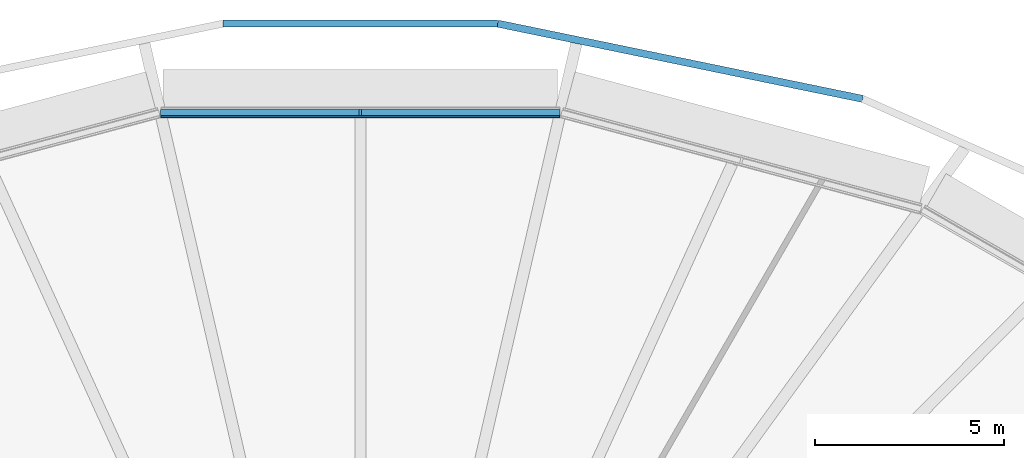
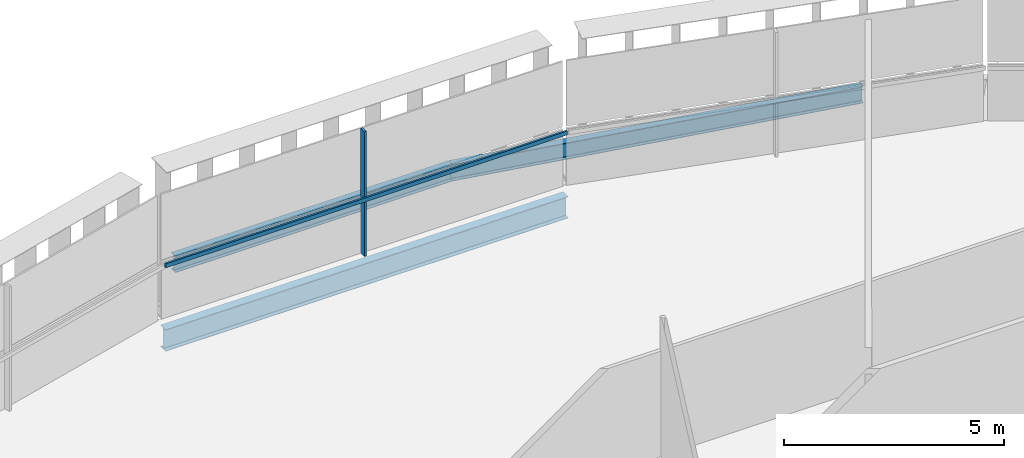
# One storey, part 8 of 20: 3 beams, 2 members, 1 element without a shape of its own.
"""IFC4 building model written with IfcOpenShell, lengths in metres."""

from ifc_helpers import new_model, si_unit, direction, frame, origin, origin_2d, place, context, subcontext, project, spatial, rectangle, i_section, extrude, material, layer, layer_set, material_profile, profile_set, type_object, element, aggregate, save


model = new_model("IFC4")

# Units and contexts
model_context = context("Model", 3, precision=1e-05, world=origin(), true_north=direction((0.0, 1.0)))
body_context = subcontext(model_context, "Body", "Model", "MODEL_VIEW")
ifc_project = project(units=[si_unit("LENGTHUNIT", "METRE"), si_unit("AREAUNIT", "SQUARE_METRE"), si_unit("VOLUMEUNIT", "CUBIC_METRE"), si_unit("PLANEANGLEUNIT", "RADIAN"), si_unit("MASSUNIT", "GRAM", prefix="KILO")], contexts=[model_context])

# Site, building, storey
site_placement = place(None, origin())
site = spatial("IfcSite", under=ifc_project, at=site_placement, CompositionType="ELEMENT")
building_placement = place(site_placement, origin())
building = spatial("IfcBuilding", under=site, at=building_placement, Name="Sahrelin Media Tower", CompositionType="ELEMENT")
storey_placement = place(building_placement, frame((0.0, 0.0, 209.60009765625)))
storey = spatial("IfcBuildingStorey", under=building, at=storey_placement, Name="L44", CompositionType="ELEMENT", Elevation=209.60009765625)

# Beam
ifc_material_1 = material(Name="Steel S355", Category="steel")
ifc_material_profile_1 = material_profile(ifc_material_1, i_section(OverallWidth=0.2275390625, OverallDepth=0.6025390625, WebThickness=0.010498046875, FlangeThickness=0.014892578125, FilletRadius=0.0126953125, at=origin_2d()), Name="UB 610x229x101")
ifc_profile_set_1 = profile_set([ifc_material_profile_1], Name="Steel S355")
beam_type_1 = type_object("IfcBeamType", Name="Edge beam EB7", PredefinedType="BEAM", material=ifc_profile_set_1)
beam_1_placement = place(storey_placement, frame((-5.275390625, 22.86572265625, -0.451416015625), z_axis=(1.0, 0.0, 0.0), x_axis=(0.0, 1.0, 0.0)))
element("IfcBeam", 1, at=beam_1_placement, inside=storey, type_object=beam_type_1, Name="Edge beam L44-19", PredefinedType="BEAM", context=body_context, shape_type="SweptSolid", body=[
    extrude(i_section(OverallWidth=0.2275390625, OverallDepth=0.6025390625, WebThickness=0.010498046875, FlangeThickness=0.014892578125, FilletRadius=0.0126953125, at=origin_2d()), origin(), (0.0, 0.0, 1.0), 10.55078125),
])

# Curtain wall, member
ifc_material_2 = material(Name="Champagne anodised aluminium 6063-T6", Category="aluminium")
ifc_layer = layer(ifc_material_2, 0.14990234375)
ifc_layer_set = layer_set([ifc_layer], Name="Tower ribbon curtain wall")
curtain_wall_type = type_object("IfcCurtainWallType", Name="Tower ribbon curtain wall", PredefinedType="NOTDEFINED", material=ifc_layer_set)
curtain_wall_placement = place(storey_placement, frame((0.0, 23.015625, 0.0), z_axis=(0.0, 0.0, 1.0), x_axis=(1.0, 0.0, 0.0)))
curtain_wall = element("IfcCurtainWall", 2, at=curtain_wall_placement, inside=storey, type_object=curtain_wall_type, Name="L44:CW:L44-06", PredefinedType="NOTDEFINED")
ifc_material_profile_2 = material_profile(ifc_material_2, rectangle(XDim=0.06005859375, YDim=0.175048828125, at=origin_2d()), Name="Mullion 60x175")
ifc_profile_set_2 = profile_set([ifc_material_profile_2], Name="Champagne anodised aluminium 6063-T6")
member_type_1 = type_object("IfcMemberType", Name="Mullion 60x175 CW1B", PredefinedType="MULLION", material=ifc_profile_set_2)
member_1_placement = place(storey_placement, frame((0.0, 22.908203125, 0.0), z_axis=(0.0, 0.0, 1.0), x_axis=(-1.0, 0.0, 0.0)))
member_1 = element("IfcMember", 3, at=member_1_placement, type_object=member_type_1, Name="L44:CWM:L44-06", PredefinedType="MULLION", context=body_context, shape_type="SweptSolid", body=[
    extrude(rectangle(XDim=0.06005859375, YDim=0.175048828125, at=origin_2d()), origin(), (0.0, 0.0, 1.0), 3.448486328125),
])

# Beams
ifc_material_profile_3 = material_profile(ifc_material_1, i_section(OverallWidth=0.1904296875, OverallDepth=0.45703125, WebThickness=0.009033203125, FlangeThickness=0.014404296875, FilletRadius=0.01025390625, at=origin_2d()), Name="UB 457x191x74")
ifc_profile_set_3 = profile_set([ifc_material_profile_3], Name="Steel S355")
beam_type_2 = type_object("IfcBeamType", Name="Tie chord TC5", PredefinedType="BEAM", material=ifc_profile_set_3)
beam_2_placement = place(storey_placement, frame((13.261962890625, 23.259521484375, -0.378662109375), z_axis=(-0.979384484627, 0.202005027836, 0.0), x_axis=(-0.202005027836, -0.979384484627, 0.0)))
element("IfcBeam", 4, at=beam_2_placement, inside=storey, type_object=beam_type_2, Name="Tie chord L44-05", PredefinedType="BEAM", context=body_context, shape_type="SweptSolid", body=[
    extrude(i_section(OverallWidth=0.1904296875, OverallDepth=0.45703125, WebThickness=0.009033203125, FlangeThickness=0.014404296875, FilletRadius=0.01025390625, at=origin_2d()), origin(), (0.0, 0.0, 1.0), 9.84033203125),
])
beam_3_placement = place(storey_placement, frame((3.62451171875, 25.247314453125, -0.378662109375), z_axis=(-1.0, 0.0, 0.0), x_axis=(0.0, -1.0, 0.0)))
element("IfcBeam", 5, at=beam_3_placement, inside=storey, type_object=beam_type_2, Name="Tie chord L44-06", PredefinedType="BEAM", context=body_context, shape_type="SweptSolid", body=[
    extrude(i_section(OverallWidth=0.1904296875, OverallDepth=0.45703125, WebThickness=0.009033203125, FlangeThickness=0.014404296875, FilletRadius=0.01025390625, at=origin_2d()), origin(), (0.0, 0.0, 1.0), 7.2490234375),
])

# Member
ifc_material_profile_4 = material_profile(ifc_material_2, rectangle(XDim=0.050048828125, YDim=0.110107421875, at=origin_2d()), Name="Transom 50x110")
ifc_profile_set_4 = profile_set([ifc_material_profile_4], Name="Champagne anodised aluminium 6063-T6")
member_type_2 = type_object("IfcMemberType", Name="Transom 50x110 CW1B", PredefinedType="USERDEFINED", material=ifc_profile_set_4)
member_2_placement = place(storey_placement, frame((5.259765625, 22.795654296875, 1.599853515625), z_axis=(-1.0, 0.0, 0.0), x_axis=(0.0, -1.0, 0.0)))
member_2 = element("IfcMember", 6, at=member_2_placement, type_object=member_type_2, Name="L44:CWT:L44-06", ObjectType="TRANSOM", PredefinedType="USERDEFINED", context=body_context, shape_type="SweptSolid", body=[
    extrude(rectangle(XDim=0.050048828125, YDim=0.110107421875, at=origin_2d()), origin(), (0.0, 0.0, 1.0), 10.51953125),
])

aggregate(curtain_wall, [member_1, member_2])

save(model, "model.ifc")
